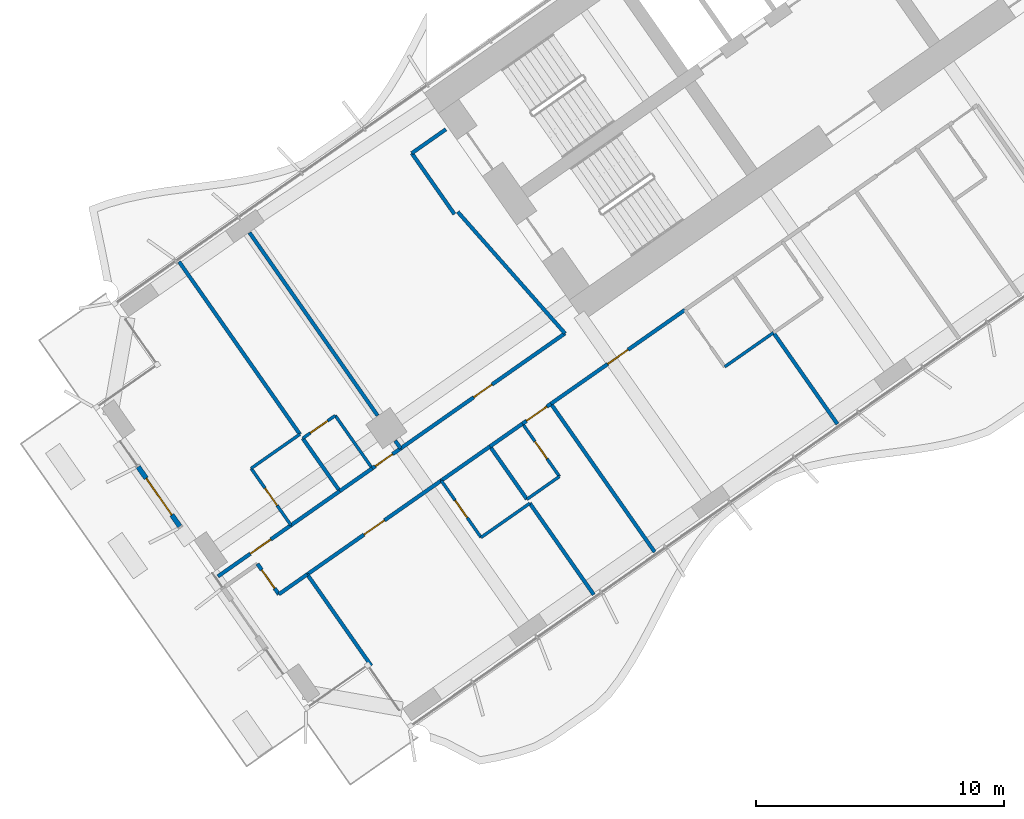
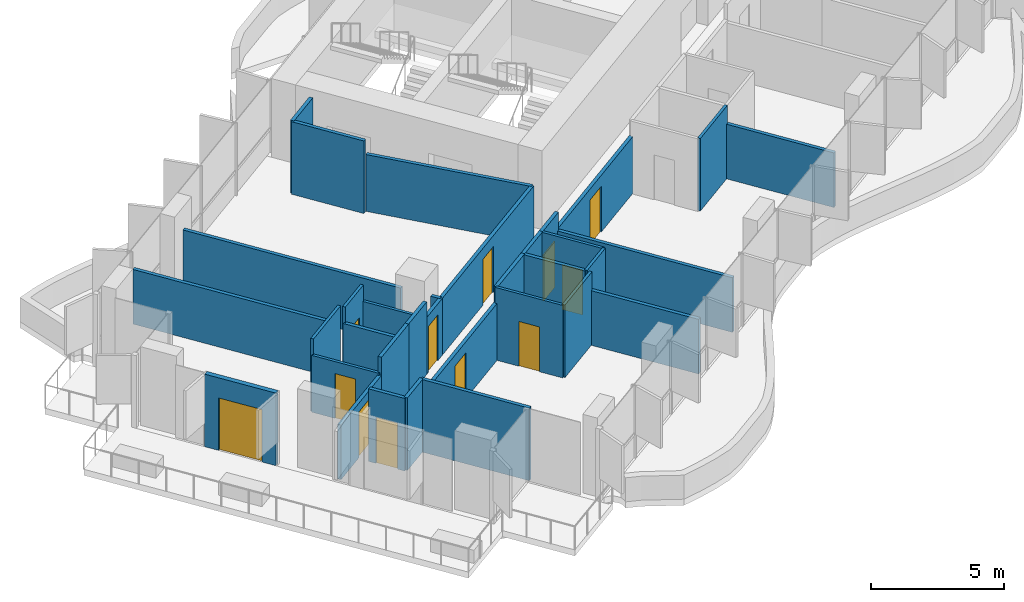
# One storey, part 13 of 25: 34 walls, 12 doors, 12 openings.
"""IFC4 building model written with IfcOpenShell, lengths in metres."""

from ifc_helpers import new_model, si_unit, direction, frame, frame_2d, origin, place, context, subcontext, project, spatial, rectangle, extrude, material, layer, layer_set, type_object, element, fill, save


model = new_model("IFC4")

# Units and contexts
model_context = context("Model", 3, precision=1e-05, world=origin(), true_north=direction((0.0, 1.0)))
body_context = subcontext(model_context, "Body", "Model", "MODEL_VIEW")
ifc_project = project(units=[si_unit("LENGTHUNIT", "METRE"), si_unit("AREAUNIT", "SQUARE_METRE"), si_unit("VOLUMEUNIT", "CUBIC_METRE"), si_unit("PLANEANGLEUNIT", "RADIAN"), si_unit("MASSUNIT", "GRAM", prefix="KILO")], contexts=[model_context])

# Site, building, storey
site_placement = place(None, origin())
site = spatial("IfcSite", under=ifc_project, at=site_placement, CompositionType="ELEMENT")
building_placement = place(site_placement, origin())
building = spatial("IfcBuilding", under=site, at=building_placement, Name="Tel Ilan Convention Tower", CompositionType="ELEMENT")
storey_placement = place(building_placement, frame((0.0, 0.0, 97.699951171875)))
storey = spatial("IfcBuildingStorey", under=building, at=storey_placement, Name="L20", CompositionType="ELEMENT", Elevation=97.699951171875)

# Wall, opening, door
ifc_material_1 = material(Name="Plasterboard on Steel Studs", Category="steel")
ifc_layer_1 = layer(ifc_material_1, 0.14990234375)
ifc_layer_set_1 = layer_set([ifc_layer_1], Name="Fire-rated Partition 150 EI 60")
wall_type_1 = type_object("IfcWallType", Name="Fire-rated Partition 150 EI 60", PredefinedType="PARTITIONING", material=ifc_layer_set_1)
wall_1_placement = place(storey_placement, frame((-28.91748046875, -21.468994140625, 0.0), z_axis=(0.0, 0.0, 1.0), x_axis=(0.819152599934, 0.573575642807, 0.0)))
wall_1 = element("IfcWall", 1, at=wall_1_placement, inside=storey, type_object=wall_type_1, Name="Partition 019", PredefinedType="PARTITIONING", context=body_context, shape_type="SweptSolid", body=[
    extrude(rectangle(XDim=8.098388671875, YDim=0.14990234375, at=frame_2d((4.04931640625, 0.0))), origin(), (0.0, 0.0, 1.0), 2.60009765625),
])
opening_1_placement = place(wall_1_placement, frame((3.59912109375, 0.0, 0.0)))
opening_1 = element("IfcOpeningElement", 2, at=opening_1_placement, cuts=wall_1, Name="Opening L20-013", PredefinedType="OPENING", context=body_context, shape_type="SweptSolid", body=[
    extrude(rectangle(XDim=0.89990234375, YDim=2.10009765625, at=frame_2d((0.449951171875, 1.050048828125))), frame((0.0, 0.0849609375, 0.0), z_axis=(0.0, -1.0, 0.0), x_axis=(1.0, 0.0, 0.0)), (0.0, 0.0, 1.0), 0.169921875),
])
ifc_material_2 = material(Name="Timber Door Leaf in Steel Frame", Category="steel")
door_type_1 = type_object("IfcDoorType", Name="Room Fire Door 900x2100", OperationType="NOTDEFINED", PredefinedType="DOOR", material=ifc_material_2)
door_1_placement = place(opening_1_placement, origin())
door_1 = element("IfcDoor", 3, at=door_1_placement, inside=storey, type_object=door_type_1, Name="Door L20-013", OperationType="SINGLE_SWING_LEFT", OverallHeight=2.10009765625, OverallWidth=0.89990234375, PredefinedType="DOOR", context=body_context, shape_type="SweptSolid", body=[
    extrude(rectangle(XDim=0.89990234375, YDim=2.10009765625, at=frame_2d((0.449951171875, 1.050048828125))), frame((0.0, 0.02490234375, 0.0), z_axis=(0.0, -1.0, 0.0), x_axis=(1.0, 0.0, 0.0)), (0.0, 0.0, 1.0), 0.050048828125),
])
fill(opening_1, door_1)

wall_2_placement = place(storey_placement, frame((-28.914306640625, -21.466796875, 0.0), z_axis=(0.0, 0.0, 1.0), x_axis=(-0.81914197737, -0.573590813132, 0.0)))
wall_2 = element("IfcWall", 4, at=wall_2_placement, inside=storey, type_object=wall_type_1, Name="Partition 020", PredefinedType="PARTITIONING", context=body_context, shape_type="SweptSolid", body=[
    extrude(rectangle(XDim=1.40283203125, YDim=0.14990234375, at=frame_2d((0.701416015625, 0.0))), origin(), (0.0, 0.0, 1.0), 2.60009765625),
])
opening_2_placement = place(wall_2_placement, frame((0.403076171875, 0.0, 0.0)))
opening_2 = element("IfcOpeningElement", 5, at=opening_2_placement, cuts=wall_2, Name="Opening L20-015", PredefinedType="OPENING", context=body_context, shape_type="SweptSolid", body=[
    extrude(rectangle(XDim=0.85009765625, YDim=2.10009765625, at=frame_2d((0.425048828125, 1.050048828125))), frame((0.0, 0.0849609375, 0.0), z_axis=(0.0, -1.0, 0.0), x_axis=(1.0, 0.0, 0.0)), (0.0, 0.0, 1.0), 0.169921875),
])
ifc_material_3 = material(Name="Timber Door Leaf in Steel Frame", Category="steel")
door_type_2 = type_object("IfcDoorType", Name="Room Fire Door 850x2100", OperationType="NOTDEFINED", PredefinedType="DOOR", material=ifc_material_3)
door_2_placement = place(opening_2_placement, origin())
door_2 = element("IfcDoor", 6, at=door_2_placement, inside=storey, type_object=door_type_2, Name="Door L20-015", OperationType="SINGLE_SWING_LEFT", OverallHeight=2.10009765625, OverallWidth=0.85009765625, PredefinedType="DOOR", context=body_context, shape_type="SweptSolid", body=[
    extrude(rectangle(XDim=0.85009765625, YDim=2.10009765625, at=frame_2d((0.425048828125, 1.050048828125))), frame((0.0, 0.02490234375, 0.0), z_axis=(0.0, -1.0, 0.0), x_axis=(1.0, 0.0, 0.0)), (0.0, 0.0, 1.0), 0.050048828125),
])
fill(opening_2, door_2)

# Wall
wall_3_placement = place(storey_placement, frame((-31.375, -23.189697265625, 0.0), z_axis=(0.0, 0.0, 1.0), x_axis=(0.819189013667, 0.573523634986, 0.0)))
element("IfcWall", 7, at=wall_3_placement, inside=storey, type_object=wall_type_1, Name="Partition 021", PredefinedType="PARTITIONING", context=body_context, shape_type="SweptSolid", body=[
    extrude(rectangle(XDim=1.60400390625, YDim=0.14990234375, at=frame_2d((0.802001953125, 0.0))), origin(), (0.0, 0.0, 1.0), 3.320068359375),
])

# Wall, opening, door
wall_4_placement = place(storey_placement, frame((-36.288330078125, -26.630126953125, 0.0), z_axis=(0.0, 0.0, 1.0), x_axis=(0.819171400631, 0.573548791636, 0.0)))
wall_4 = element("IfcWall", 8, at=wall_4_placement, inside=storey, type_object=wall_type_1, Name="Partition 022", PredefinedType="PARTITIONING", context=body_context, shape_type="SweptSolid", body=[
    extrude(rectangle(XDim=3.60107421875, YDim=0.14990234375, at=frame_2d((1.800537109375, 0.0))), origin(), (0.0, 0.0, 1.0), 2.5),
])
opening_3_placement = place(wall_4_placement, frame((1.60009765625, 0.0, 0.0)))
opening_3 = element("IfcOpeningElement", 9, at=opening_3_placement, cuts=wall_4, Name="Opening L20-017", PredefinedType="OPENING", context=body_context, shape_type="SweptSolid", body=[
    extrude(rectangle(XDim=1.0, YDim=2.10009765625, at=frame_2d((0.5, 1.050048828125))), frame((0.0, 0.0849609375, 0.0), z_axis=(0.0, -1.0, 0.0), x_axis=(1.0, 0.0, 0.0)), (0.0, 0.0, 1.0), 0.169921875),
])
ifc_material_4 = material(Name="Timber Door Leaf in Steel Frame", Category="steel")
door_type_3 = type_object("IfcDoorType", Name="Hotel Room Entrance Fire Door 1000x2100", OperationType="NOTDEFINED", PredefinedType="DOOR", material=ifc_material_4)
door_3_placement = place(opening_3_placement, origin())
door_3 = element("IfcDoor", 10, at=door_3_placement, inside=storey, type_object=door_type_3, Name="Door L20-017", OperationType="SINGLE_SWING_RIGHT", OverallHeight=2.10009765625, OverallWidth=1.0, PredefinedType="DOOR", context=body_context, shape_type="SweptSolid", body=[
    extrude(rectangle(XDim=1.0, YDim=2.10009765625, at=frame_2d((0.5, 1.050048828125))), frame((0.0, 0.02490234375, 0.0), z_axis=(0.0, -1.0, 0.0), x_axis=(1.0, 0.0, 0.0)), (0.0, 0.0, 1.0), 0.050048828125),
])
fill(opening_3, door_3)

# Wall
wall_5_placement = place(storey_placement, frame((-33.341064453125, -24.56640625, 0.0), z_axis=(0.0, 0.0, 1.0), x_axis=(0.819179439794, 0.573537309527, 0.0)))
element("IfcWall", 11, at=wall_5_placement, inside=storey, type_object=wall_type_1, Name="Partition 023", PredefinedType="PARTITIONING", context=body_context, shape_type="SweptSolid", body=[
    extrude(rectangle(XDim=2.404296875, YDim=0.14990234375, at=frame_2d((1.2021484375, 0.0))), origin(), (0.0, 0.0, 1.0), 3.320068359375),
])

# Wall, opening, door
wall_6_placement = place(storey_placement, frame((-17.446533203125, -15.878662109375, 0.0), z_axis=(0.0, 0.0, 1.0), x_axis=(-0.819153746897, -0.573574004767, 0.0)))
wall_6 = element("IfcWall", 12, at=wall_6_placement, inside=storey, type_object=wall_type_1, Name="Partition 029", PredefinedType="PARTITIONING", context=body_context, shape_type="SweptSolid", body=[
    extrude(rectangle(XDim=6.60302734375, YDim=0.14990234375, at=frame_2d((3.301513671875, 0.0))), origin(), (0.0, 0.0, 1.0), 2.60009765625),
])
opening_4_placement = place(wall_6_placement, frame((2.801025390625, 0.0, 0.0)))
opening_4 = element("IfcOpeningElement", 13, at=opening_4_placement, cuts=wall_6, Name="Opening L20-007", PredefinedType="OPENING", context=body_context, shape_type="SweptSolid", body=[
    extrude(rectangle(XDim=1.0, YDim=2.10009765625, at=frame_2d((0.5, 1.050048828125))), frame((0.0, 0.0849609375, 0.0), z_axis=(0.0, -1.0, 0.0), x_axis=(1.0, 0.0, 0.0)), (0.0, 0.0, 1.0), 0.169921875),
])
door_4_placement = place(opening_4_placement, origin())
door_4 = element("IfcDoor", 14, at=door_4_placement, inside=storey, type_object=door_type_3, Name="Door L20-007", OperationType="SINGLE_SWING_RIGHT", OverallHeight=2.10009765625, OverallWidth=1.0, PredefinedType="DOOR", context=body_context, shape_type="SweptSolid", body=[
    extrude(rectangle(XDim=1.0, YDim=2.10009765625, at=frame_2d((0.5, 1.050048828125))), frame((0.0, 0.02490234375, 0.0), z_axis=(0.0, -1.0, 0.0), x_axis=(1.0, 0.0, 0.0)), (0.0, 0.0, 1.0), 0.050048828125),
])
fill(opening_4, door_4)

wall_7_placement = place(storey_placement, frame((-22.852294921875, -19.66357421875, 0.0), z_axis=(0.0, 0.0, 1.0), x_axis=(-0.81914197737, -0.573590813132, 0.0)))
wall_7 = element("IfcWall", 15, at=wall_7_placement, inside=storey, type_object=wall_type_1, Name="Partition 031", PredefinedType="PARTITIONING", context=body_context, shape_type="SweptSolid", body=[
    extrude(rectangle(XDim=1.40283203125, YDim=0.14990234375, at=frame_2d((0.701416015625, 0.0))), origin(), (0.0, 0.0, 1.0), 3.320068359375),
])
opening_5_placement = place(wall_7_placement, frame((0.201904296875, 0.0, 0.0)))
opening_5 = element("IfcOpeningElement", 16, at=opening_5_placement, cuts=wall_7, Name="Opening L20-009", PredefinedType="OPENING", context=body_context, shape_type="SweptSolid", body=[
    extrude(rectangle(XDim=1.0, YDim=2.10009765625, at=frame_2d((0.5, 1.050048828125))), frame((0.0, 0.0849609375, 0.0), z_axis=(0.0, -1.0, 0.0), x_axis=(1.0, 0.0, 0.0)), (0.0, 0.0, 1.0), 0.169921875),
])
door_5_placement = place(opening_5_placement, origin())
door_5 = element("IfcDoor", 17, at=door_5_placement, inside=storey, type_object=door_type_3, Name="Door L20-009", OperationType="SINGLE_SWING_RIGHT", OverallHeight=2.10009765625, OverallWidth=1.0, PredefinedType="DOOR", context=body_context, shape_type="SweptSolid", body=[
    extrude(rectangle(XDim=1.0, YDim=2.10009765625, at=frame_2d((0.5, 1.050048828125))), frame((0.0, 0.02490234375, 0.0), z_axis=(0.0, -1.0, 0.0), x_axis=(1.0, 0.0, 0.0)), (0.0, 0.0, 1.0), 0.050048828125),
])
fill(opening_5, door_5)

# Wall
wall_8_placement = place(storey_placement, frame((-23.9990234375, -20.466552734375, 0.0), z_axis=(0.0, 0.0, 1.0), x_axis=(-0.819117502046, -0.573625764625, 0.0)))
element("IfcWall", 18, at=wall_8_placement, inside=storey, type_object=wall_type_1, Name="Partition 032", PredefinedType="PARTITIONING", context=body_context, shape_type="SweptSolid", body=[
    extrude(rectangle(XDim=1.60400390625, YDim=0.14990234375, at=frame_2d((0.802001953125, 0.0))), origin(), (0.0, 0.0, 1.0), 3.320068359375),
])

# Wall, opening, door
wall_9_placement = place(storey_placement, frame((-27.2763671875, -22.761474609375, 0.0), z_axis=(0.0, 0.0, 1.0), x_axis=(-0.819153746897, -0.573574004767, 0.0)))
wall_9 = element("IfcWall", 19, at=wall_9_placement, inside=storey, type_object=wall_type_1, Name="Partition 033", PredefinedType="PARTITIONING", context=body_context, shape_type="SweptSolid", body=[
    extrude(rectangle(XDim=6.60302734375, YDim=0.14990234375, at=frame_2d((3.301513671875, 0.0))), origin(), (0.0, 0.0, 1.0), 2.60009765625),
])
opening_6_placement = place(wall_9_placement, frame((2.801025390625, 0.0, 0.0)))
opening_6 = element("IfcOpeningElement", 20, at=opening_6_placement, cuts=wall_9, Name="Opening L20-011", PredefinedType="OPENING", context=body_context, shape_type="SweptSolid", body=[
    extrude(rectangle(XDim=1.0, YDim=2.10009765625, at=frame_2d((0.5, 1.050048828125))), frame((0.0, 0.0849609375, 0.0), z_axis=(0.0, -1.0, 0.0), x_axis=(1.0, 0.0, 0.0)), (0.0, 0.0, 1.0), 0.169921875),
])
door_6_placement = place(opening_6_placement, origin())
door_6 = element("IfcDoor", 21, at=door_6_placement, inside=storey, type_object=door_type_3, Name="Door L20-011", OperationType="SINGLE_SWING_RIGHT", OverallHeight=2.10009765625, OverallWidth=1.0, PredefinedType="DOOR", context=body_context, shape_type="SweptSolid", body=[
    extrude(rectangle(XDim=1.0, YDim=2.10009765625, at=frame_2d((0.5, 1.050048828125))), frame((0.0, 0.02490234375, 0.0), z_axis=(0.0, -1.0, 0.0), x_axis=(1.0, 0.0, 0.0)), (0.0, 0.0, 1.0), 0.050048828125),
])
fill(opening_6, door_6)

# Wall
wall_10_placement = place(storey_placement, frame((-25.3095703125, -21.38427734375, 0.0), z_axis=(0.0, 0.0, 1.0), x_axis=(-0.819146032251, -0.573585022335, 0.0)))
element("IfcWall", 22, at=wall_10_placement, inside=storey, type_object=wall_type_1, Name="Partition 034", PredefinedType="PARTITIONING", context=body_context, shape_type="SweptSolid", body=[
    extrude(rectangle(XDim=2.404052734375, YDim=0.14990234375, at=frame_2d((1.2021484375, 0.0))), origin(), (0.0, 0.0, 1.0), 3.320068359375),
])

# Wall, opening, door
wall_11_placement = place(storey_placement, frame((-33.830322265625, -27.3505859375, 0.0), z_axis=(0.0, 0.0, 1.0), x_axis=(-0.573669850876, 0.819086626796, 0.0)))
wall_11 = element("IfcWall", 23, at=wall_11_placement, inside=storey, type_object=wall_type_1, Name="Partition 035", PredefinedType="PARTITIONING", context=body_context, shape_type="SweptSolid", body=[
    extrude(rectangle(XDim=1.500244140625, YDim=0.14990234375, at=frame_2d((0.75, 0.0))), origin(), (0.0, 0.0, 1.0), 3.320068359375),
])
opening_7_placement = place(wall_11_placement, frame((0.300048828125, 0.0, 0.0)))
opening_7 = element("IfcOpeningElement", 24, at=opening_7_placement, cuts=wall_11, Name="Opening L20-012", PredefinedType="OPENING", context=body_context, shape_type="SweptSolid", body=[
    extrude(rectangle(XDim=0.89990234375, YDim=2.10009765625, at=frame_2d((0.449951171875, 1.050048828125))), frame((0.0, 0.0849609375, 0.0), z_axis=(0.0, -1.0, 0.0), x_axis=(1.0, 0.0, 0.0)), (0.0, 0.0, 1.0), 0.169921875),
])
door_7_placement = place(opening_7_placement, origin())
door_7 = element("IfcDoor", 25, at=door_7_placement, inside=storey, type_object=door_type_1, Name="Door L20-012", OperationType="SINGLE_SWING_LEFT", OverallHeight=2.10009765625, OverallWidth=0.89990234375, PredefinedType="DOOR", context=body_context, shape_type="SweptSolid", body=[
    extrude(rectangle(XDim=0.89990234375, YDim=2.10009765625, at=frame_2d((0.449951171875, 1.050048828125))), frame((0.0, 0.02490234375, 0.0), z_axis=(0.0, -1.0, 0.0), x_axis=(1.0, 0.0, 0.0)), (0.0, 0.0, 1.0), 0.050048828125),
])
fill(opening_7, door_7)

# Walls
wall_12_placement = place(storey_placement, frame((-32.681884765625, -26.54638671875, 0.0), z_axis=(0.0, 0.0, 1.0), x_axis=(-0.819133738125, -0.573602579375, 0.0)))
element("IfcWall", 26, at=wall_12_placement, inside=storey, type_object=wall_type_1, Name="Partition 037", PredefinedType="PARTITIONING", context=body_context, shape_type="SweptSolid", body=[
    extrude(rectangle(XDim=1.402099609375, YDim=0.14990234375, at=frame_2d((0.701171875, 0.0))), origin(), (0.0, 0.0, 1.0), 3.320068359375),
])
wall_13_placement = place(storey_placement, frame((-26.74609375, -12.013671875, 0.0), z_axis=(0.0, 0.0, 1.0), x_axis=(-0.573560650686, 0.819163097304, 0.0)))
element("IfcWall", 27, at=wall_13_placement, inside=storey, type_object=wall_type_1, Name="Partition 072", PredefinedType="PARTITIONING", context=body_context, shape_type="SweptSolid", body=[
    extrude(rectangle(XDim=3.0, YDim=0.14990234375, at=frame_2d((1.5, 0.0))), origin(), (0.0, 0.0, 1.0), 3.320068359375),
])
wall_14_placement = place(storey_placement, frame((-28.466796875, -9.55615234375, 0.0), z_axis=(0.0, 0.0, 1.0), x_axis=(0.819109000826, 0.573637903879, 0.0)))
element("IfcWall", 28, at=wall_14_placement, inside=storey, type_object=wall_type_1, Name="Partition 073", PredefinedType="PARTITIONING", context=body_context, shape_type="SweptSolid", body=[
    extrude(rectangle(XDim=1.679931640625, YDim=0.14990234375, at=frame_2d((0.83984375, 0.0))), origin(), (0.0, 0.0, 1.0), 3.320068359375),
])
wall_15_placement = place(storey_placement, frame((-22.2841796875, -16.82666015625, 0.0), z_axis=(0.0, 0.0, 1.0), x_axis=(-0.661545117561, 0.749905365651, 0.0)))
element("IfcWall", 29, at=wall_15_placement, inside=storey, type_object=wall_type_1, Name="Partition 074", PredefinedType="PARTITIONING", context=body_context, shape_type="SweptSolid", body=[
    extrude(rectangle(XDim=6.542724609375, YDim=0.14990234375, at=frame_2d((3.271484375, 0.0))), origin(), (0.0, 0.0, 1.0), 2.60009765625),
])
wall_16_placement = place(storey_placement, frame((-28.916015625, -21.468017578125, 0.0), z_axis=(0.0, 0.0, 1.0), x_axis=(-0.572944929411, 0.819593867633, 0.0)))
element("IfcWall", 30, at=wall_16_placement, inside=storey, type_object=wall_type_1, Name="Partition 075", PredefinedType="PARTITIONING", context=body_context, shape_type="SweptSolid", body=[
    extrude(rectangle(XDim=0.380126953125, YDim=0.14990234375, at=frame_2d((0.18994140625, 0.0))), origin(), (0.0, 0.0, 1.0), 2.60009765625),
])
wall_17_placement = place(storey_placement, frame((-29.84521484375, -20.140869140625, 0.0), z_axis=(0.0, 0.0, 1.0), x_axis=(-0.573558725113, 0.819164445546, 0.0)))
element("IfcWall", 31, at=wall_17_placement, inside=storey, type_object=wall_type_1, Name="Partition 076", PredefinedType="PARTITIONING", context=body_context, shape_type="SweptSolid", body=[
    extrude(rectangle(XDim=9.010009765625, YDim=0.14990234375, at=frame_2d((4.5048828125, 0.0))), origin(), (0.0, 0.0, 1.0), 2.60009765625),
])
wall_18_placement = place(storey_placement, frame((-32.978759765625, -20.895751953125, 0.0), z_axis=(0.0, 0.0, 1.0), x_axis=(-0.573576058406, 0.819152308929, 0.0)))
element("IfcWall", 32, at=wall_18_placement, inside=storey, type_object=wall_type_1, Name="Partition 079", PredefinedType="PARTITIONING", context=body_context, shape_type="SweptSolid", body=[
    extrude(rectangle(XDim=8.5009765625, YDim=0.14990234375, at=frame_2d((4.25048828125, 0.0))), origin(), (0.0, 0.0, 1.0), 2.5),
])
wall_19_placement = place(storey_placement, frame((-31.373291015625, -23.188720703125, 0.0), z_axis=(0.0, 0.0, 1.0), x_axis=(-0.573600972199, 0.819134863556, 0.0)))
element("IfcWall", 33, at=wall_19_placement, inside=storey, type_object=wall_type_1, Name="Partition 080", PredefinedType="PARTITIONING", context=body_context, shape_type="SweptSolid", body=[
    extrude(rectangle(XDim=2.60009765625, YDim=0.14990234375, at=frame_2d((1.300048828125, 0.0))), origin(), (0.0, 0.0, 1.0), 2.60009765625),
])
wall_20_placement = place(storey_placement, frame((-11.29443359375, -20.482421875, 0.0), z_axis=(0.0, 0.0, 1.0), x_axis=(-0.573589807488, 0.819142681555, 0.0)))
element("IfcWall", 34, at=wall_20_placement, inside=storey, type_object=wall_type_1, Name="Partition 090", PredefinedType="PARTITIONING", context=body_context, shape_type="SweptSolid", body=[
    extrude(rectangle(XDim=4.4990234375, YDim=0.14990234375, at=frame_2d((2.24951171875, 0.0))), origin(), (0.0, 0.0, 1.0), 2.5),
])
wall_21_placement = place(storey_placement, frame((-18.666748046875, -25.64453125, 0.0), z_axis=(0.0, 0.0, 1.0), x_axis=(-0.573572324301, 0.819154923562, 0.0)))
element("IfcWall", 35, at=wall_21_placement, inside=storey, type_object=wall_type_1, Name="Partition 094", PredefinedType="PARTITIONING", context=body_context, shape_type="SweptSolid", body=[
    extrude(rectangle(XDim=7.2998046875, YDim=0.14990234375, at=frame_2d((3.64990234375, 0.0))), origin(), (0.0, 0.0, 1.0), 2.5),
])
wall_22_placement = place(storey_placement, frame((-21.124267578125, -27.365234375, 0.0), z_axis=(0.0, 0.0, 1.0), x_axis=(-0.573556991349, 0.819165659482, 0.0)))
element("IfcWall", 36, at=wall_22_placement, inside=storey, type_object=wall_type_1, Name="Partition 097", PredefinedType="PARTITIONING", context=body_context, shape_type="SweptSolid", body=[
    extrude(rectangle(XDim=4.5009765625, YDim=0.14990234375, at=frame_2d((2.25048828125, 0.0))), origin(), (0.0, 0.0, 1.0), 2.5),
])
wall_23_placement = place(storey_placement, frame((-23.820068359375, -23.515380859375, 0.0), z_axis=(0.0, 0.0, 1.0), x_axis=(-0.573537965655, 0.819178980414, 0.0)))
element("IfcWall", 37, at=wall_23_placement, inside=storey, type_object=wall_type_1, Name="Partition 098", PredefinedType="PARTITIONING", context=body_context, shape_type="SweptSolid", body=[
    extrude(rectangle(XDim=2.60009765625, YDim=0.14990234375, at=frame_2d((1.300048828125, 0.0))), origin(), (0.0, 0.0, 1.0), 3.320068359375),
])
wall_24_placement = place(storey_placement, frame((-30.101318359375, -30.235595703125, 0.0), z_axis=(0.0, 0.0, 1.0), x_axis=(-0.573564243949, 0.819160581365, 0.0)))
element("IfcWall", 38, at=wall_24_placement, inside=storey, type_object=wall_type_1, Name="Partition 101", PredefinedType="PARTITIONING", context=body_context, shape_type="SweptSolid", body=[
    extrude(rectangle(XDim=4.502197265625, YDim=0.14990234375, at=frame_2d((2.2509765625, 0.0))), origin(), (0.0, 0.0, 1.0), 3.320068359375),
])
ifc_material_5 = material(Name="Plasterboard on Steel Studs", Category="steel")
ifc_layer_2 = layer(ifc_material_5, 0.1201171875)
ifc_layer_set_2 = layer_set([ifc_layer_2], Name="Moisture-resistant Partition 120")
wall_type_2 = type_object("IfcWallType", Name="Moisture-resistant Partition 120", PredefinedType="PARTITIONING", material=ifc_layer_set_2)
wall_25_placement = place(storey_placement, frame((-30.06201171875, -22.270263671875, 0.0), z_axis=(0.0, 0.0, 1.0), x_axis=(-0.573537965655, 0.819178980414, 0.0)))
element("IfcWall", 39, at=wall_25_placement, inside=storey, type_object=wall_type_2, Name="Partition 077", PredefinedType="PARTITIONING", context=body_context, shape_type="SweptSolid", body=[
    extrude(rectangle(XDim=2.60009765625, YDim=0.1201171875, at=frame_2d((1.300048828125, 0.0))), origin(), (0.0, 0.0, 1.0), 2.60009765625),
])

# Wall, opening, door
wall_26_placement = place(storey_placement, frame((-31.5546875, -20.140380859375, 0.0), z_axis=(0.0, 0.0, 1.0), x_axis=(-0.819131543282, -0.57360571371, 0.0)))
wall_26 = element("IfcWall", 40, at=wall_26_placement, inside=storey, type_object=wall_type_2, Name="Partition 078", PredefinedType="PARTITIONING", context=body_context, shape_type="SweptSolid", body=[
    extrude(rectangle(XDim=1.599853515625, YDim=0.1201171875, at=frame_2d((0.7998046875, 0.0))), origin(), (0.0, 0.0, 1.0), 3.320068359375),
])
opening_8_placement = place(wall_26_placement, frame((0.375, 0.0, 0.0)))
opening_8 = element("IfcOpeningElement", 41, at=opening_8_placement, cuts=wall_26, Name="Opening L20-014", PredefinedType="OPENING", context=body_context, shape_type="SweptSolid", body=[
    extrude(rectangle(XDim=0.85009765625, YDim=2.050048828125, at=frame_2d((0.425048828125, 1.02490234375))), frame((0.0, 0.070068359375, 0.0), z_axis=(0.0, -1.0, 0.0), x_axis=(1.0, 0.0, 0.0)), (0.0, 0.0, 1.0), 0.14013671875),
])
ifc_material_6 = material(Name="Timber Door Leaf in Steel Frame", Category="steel")
door_type_4 = type_object("IfcDoorType", Name="Bathroom Timber Door 850x2050", OperationType="NOTDEFINED", PredefinedType="DOOR", material=ifc_material_6)
door_8_placement = place(opening_8_placement, origin())
door_8 = element("IfcDoor", 42, at=door_8_placement, inside=storey, type_object=door_type_4, Name="Door L20-014", OperationType="SINGLE_SWING_RIGHT", OverallHeight=2.050048828125, OverallWidth=0.85009765625, PredefinedType="DOOR", context=body_context, shape_type="SweptSolid", body=[
    extrude(rectangle(XDim=0.85009765625, YDim=2.050048828125, at=frame_2d((0.425048828125, 1.02490234375))), frame((0.0, 0.02490234375, 0.0), z_axis=(0.0, -1.0, 0.0), x_axis=(1.0, 0.0, 0.0)), (0.0, 0.0, 1.0), 0.050048828125),
])
fill(opening_8, door_8)

# Wall
wall_27_placement = place(storey_placement, frame((-32.97998046875, -20.894287109375, 0.0), z_axis=(0.0, 0.0, 1.0), x_axis=(-0.819155442668, -0.573571582932, 0.0)))
element("IfcWall", 43, at=wall_27_placement, inside=storey, type_object=wall_type_2, Name="Partition 081", PredefinedType="PARTITIONING", context=body_context, shape_type="SweptSolid", body=[
    extrude(rectangle(XDim=2.39990234375, YDim=0.1201171875, at=frame_2d((1.199951171875, 0.0))), origin(), (0.0, 0.0, 1.0), 3.320068359375),
])

# Wall, opening, door
wall_28_placement = place(storey_placement, frame((-34.9462890625, -22.272216796875, 0.0), z_axis=(0.0, 0.0, 1.0), x_axis=(0.573608623498, -0.819129505664, 0.0)))
wall_28 = element("IfcWall", 44, at=wall_28_placement, inside=storey, type_object=wall_type_2, Name="Partition 082", PredefinedType="PARTITIONING", context=body_context, shape_type="SweptSolid", body=[
    extrude(rectangle(XDim=2.800048828125, YDim=0.1201171875, at=frame_2d((1.39990234375, 0.0))), origin(), (0.0, 0.0, 1.0), 2.60009765625),
])
opening_9_placement = place(wall_28_placement, frame((0.97509765625, 0.0, 0.0)))
opening_9 = element("IfcOpeningElement", 45, at=opening_9_placement, cuts=wall_28, Name="Opening L20-016", PredefinedType="OPENING", context=body_context, shape_type="SweptSolid", body=[
    extrude(rectangle(XDim=0.85009765625, YDim=2.050048828125, at=frame_2d((0.425048828125, 1.02490234375))), frame((0.0, 0.070068359375, 0.0), z_axis=(0.0, -1.0, 0.0), x_axis=(1.0, 0.0, 0.0)), (0.0, 0.0, 1.0), 0.14013671875),
])
door_9_placement = place(opening_9_placement, origin())
door_9 = element("IfcDoor", 46, at=door_9_placement, inside=storey, type_object=door_type_4, Name="Door L20-016", OperationType="SINGLE_SWING_RIGHT", OverallHeight=2.050048828125, OverallWidth=0.85009765625, PredefinedType="DOOR", context=body_context, shape_type="SweptSolid", body=[
    extrude(rectangle(XDim=0.85009765625, YDim=2.050048828125, at=frame_2d((0.425048828125, 1.02490234375))), frame((0.0, 0.02490234375, 0.0), z_axis=(0.0, -1.0, 0.0), x_axis=(1.0, 0.0, 0.0)), (0.0, 0.0, 1.0), 0.050048828125),
])
fill(opening_9, door_9)

# Walls
wall_29_placement = place(storey_placement, frame((-15.8408203125, -18.173583984375, 0.0), z_axis=(0.0, 0.0, 1.0), x_axis=(0.819155442668, 0.573571582932, 0.0)))
element("IfcWall", 47, at=wall_29_placement, inside=storey, type_object=wall_type_2, Name="Partition 093", PredefinedType="PARTITIONING", context=body_context, shape_type="SweptSolid", body=[
    extrude(rectangle(XDim=2.39990234375, YDim=0.1201171875, at=frame_2d((1.199951171875, 0.0))), origin(), (0.0, 0.0, 1.0), 3.320068359375),
])
wall_30_placement = place(storey_placement, frame((-23.8193359375, -23.51611328125, 0.0), z_axis=(0.0, 0.0, 1.0), x_axis=(0.819131543282, 0.57360571371, 0.0)))
element("IfcWall", 48, at=wall_30_placement, inside=storey, type_object=wall_type_2, Name="Partition 095", PredefinedType="PARTITIONING", context=body_context, shape_type="SweptSolid", body=[
    extrude(rectangle(XDim=1.599853515625, YDim=0.1201171875, at=frame_2d((0.7998046875, 0.0))), origin(), (0.0, 0.0, 1.0), 3.320068359375),
])

# Wall, opening, door
wall_31_placement = place(storey_placement, frame((-22.508544921875, -22.596923828125, 0.0), z_axis=(0.0, 0.0, 1.0), x_axis=(-0.573582085028, 0.819148089014, 0.0)))
wall_31 = element("IfcWall", 49, at=wall_31_placement, inside=storey, type_object=wall_type_2, Name="Partition 096", PredefinedType="PARTITIONING", context=body_context, shape_type="SweptSolid", body=[
    extrude(rectangle(XDim=2.599853515625, YDim=0.1201171875, at=frame_2d((1.2998046875, 0.0))), origin(), (0.0, 0.0, 1.0), 3.320068359375),
])
opening_10_placement = place(wall_31_placement, frame((0.875, 0.0, 0.0)))
opening_10 = element("IfcOpeningElement", 50, at=opening_10_placement, cuts=wall_31, Name="Opening L20-008", PredefinedType="OPENING", context=body_context, shape_type="SweptSolid", body=[
    extrude(rectangle(XDim=0.85009765625, YDim=2.050048828125, at=frame_2d((0.425048828125, 1.02490234375))), frame((0.0, 0.070068359375, 0.0), z_axis=(0.0, -1.0, 0.0), x_axis=(1.0, 0.0, 0.0)), (0.0, 0.0, 1.0), 0.14013671875),
])
door_10_placement = place(opening_10_placement, origin())
door_10 = element("IfcDoor", 51, at=door_10_placement, inside=storey, type_object=door_type_4, Name="Door L20-008", OperationType="SINGLE_SWING_LEFT", OverallHeight=2.050048828125, OverallWidth=0.85009765625, PredefinedType="DOOR", context=body_context, shape_type="SweptSolid", body=[
    extrude(rectangle(XDim=0.85009765625, YDim=2.050048828125, at=frame_2d((0.425048828125, 1.02490234375))), frame((0.0, 0.02490234375, 0.0), z_axis=(0.0, -1.0, 0.0), x_axis=(1.0, 0.0, 0.0)), (0.0, 0.0, 1.0), 0.050048828125),
])
fill(opening_10, door_10)

wall_32_placement = place(storey_placement, frame((-27.278076171875, -22.7626953125, 0.0), z_axis=(0.0, 0.0, 1.0), x_axis=(0.573550118428, -0.819170471667, 0.0)))
wall_32 = element("IfcWall", 52, at=wall_32_placement, inside=storey, type_object=wall_type_2, Name="Partition 099", PredefinedType="PARTITIONING", context=body_context, shape_type="SweptSolid", body=[
    extrude(rectangle(XDim=2.800048828125, YDim=0.1201171875, at=frame_2d((1.39990234375, 0.0))), origin(), (0.0, 0.0, 1.0), 3.320068359375),
])
opening_11_placement = place(wall_32_placement, frame((0.97509765625, 0.0, 0.0)))
opening_11 = element("IfcOpeningElement", 53, at=opening_11_placement, cuts=wall_32, Name="Opening L20-010", PredefinedType="OPENING", context=body_context, shape_type="SweptSolid", body=[
    extrude(rectangle(XDim=0.85009765625, YDim=2.050048828125, at=frame_2d((0.425048828125, 1.02490234375))), frame((0.0, 0.070068359375, 0.0), z_axis=(0.0, -1.0, 0.0), x_axis=(1.0, 0.0, 0.0)), (0.0, 0.0, 1.0), 0.14013671875),
])
door_11_placement = place(opening_11_placement, origin())
door_11 = element("IfcDoor", 54, at=door_11_placement, inside=storey, type_object=door_type_4, Name="Door L20-010", OperationType="SINGLE_SWING_RIGHT", OverallHeight=2.050048828125, OverallWidth=0.85009765625, PredefinedType="DOOR", context=body_context, shape_type="SweptSolid", body=[
    extrude(rectangle(XDim=0.85009765625, YDim=2.050048828125, at=frame_2d((0.425048828125, 1.02490234375))), frame((0.0, 0.02490234375, 0.0), z_axis=(0.0, -1.0, 0.0), x_axis=(1.0, 0.0, 0.0)), (0.0, 0.0, 1.0), 0.050048828125),
])
fill(opening_11, door_11)

# Wall
wall_33_placement = place(storey_placement, frame((-25.670654296875, -25.056396484375, 0.0), z_axis=(0.0, 0.0, 1.0), x_axis=(0.819188907105, 0.573523787192, 0.0)))
element("IfcWall", 55, at=wall_33_placement, inside=storey, type_object=wall_type_2, Name="Partition 100", PredefinedType="PARTITIONING", context=body_context, shape_type="SweptSolid", body=[
    extrude(rectangle(XDim=2.39990234375, YDim=0.1201171875, at=frame_2d((1.199951171875, 0.0))), origin(), (0.0, 0.0, 1.0), 3.320068359375),
])

# Wall, opening, door
ifc_material_7 = material(Name="Aluminium composite cladding, bronze anodised on steel studs", Category="steel")
ifc_layer_3 = layer(ifc_material_7, 0.199951171875)
ifc_layer_set_3 = layer_set([ifc_layer_3], Name="TERRACE DOOR BAY WALL 200")
wall_type_3 = type_object("IfcWallType", Name="TERRACE DOOR BAY WALL 200", PredefinedType="SOLIDWALL", material=ifc_layer_set_3)
wall_34_placement = place(storey_placement, frame((-39.507568359375, -22.206787109375, 0.0), z_axis=(0.0, 0.0, 1.0), x_axis=(0.573584953252, -0.819146080625, 0.0)))
wall_34 = element("IfcWall", 56, at=wall_34_placement, inside=storey, type_object=wall_type_3, Name="Terrace door bay", PredefinedType="SOLIDWALL", context=body_context, shape_type="SweptSolid", body=[
    extrude(rectangle(XDim=2.93994140625, YDim=0.199951171875, at=frame_2d((1.469970703125, 0.0))), origin(), (0.0, 0.0, 1.0), 3.320068359375),
])
opening_12_placement = place(wall_34_placement, frame((0.570068359375, 0.0, 0.0)))
opening_12 = element("IfcOpeningElement", 57, at=opening_12_placement, cuts=wall_34, Name="Opening T20.01", PredefinedType="OPENING", context=body_context, shape_type="SweptSolid", body=[
    extrude(rectangle(XDim=1.800048828125, YDim=2.39990234375, at=frame_2d((0.89990234375, 1.199951171875))), frame((0.0, 0.10986328125, 0.0), z_axis=(0.0, -1.0, 0.0), x_axis=(1.0, 0.0, 0.0)), (0.0, 0.0, 1.0), 0.219970703125),
])
ifc_material_8 = material(Name="Aluminium framed glazed door, bronze anodised", Category="aluminium")
door_type_5 = type_object("IfcDoorType", Name="TERRACE DOUBLE DOOR 1800x2400", OperationType="NOTDEFINED", PredefinedType="DOOR", material=ifc_material_8)
door_12_placement = place(opening_12_placement, origin())
door_12 = element("IfcDoor", 58, at=door_12_placement, inside=storey, type_object=door_type_5, Name="Terrace door", OperationType="DOUBLE_DOOR_DOUBLE_SWING", OverallHeight=2.39990234375, OverallWidth=1.800048828125, PredefinedType="DOOR", context=body_context, shape_type="SweptSolid", body=[
    extrude(rectangle(XDim=1.800048828125, YDim=2.39990234375, at=frame_2d((0.89990234375, 1.199951171875))), frame((0.0, 0.02490234375, 0.0), z_axis=(0.0, -1.0, 0.0), x_axis=(1.0, 0.0, 0.0)), (0.0, 0.0, 1.0), 0.050048828125),
])
fill(opening_12, door_12)

save(model, "model.ifc")
